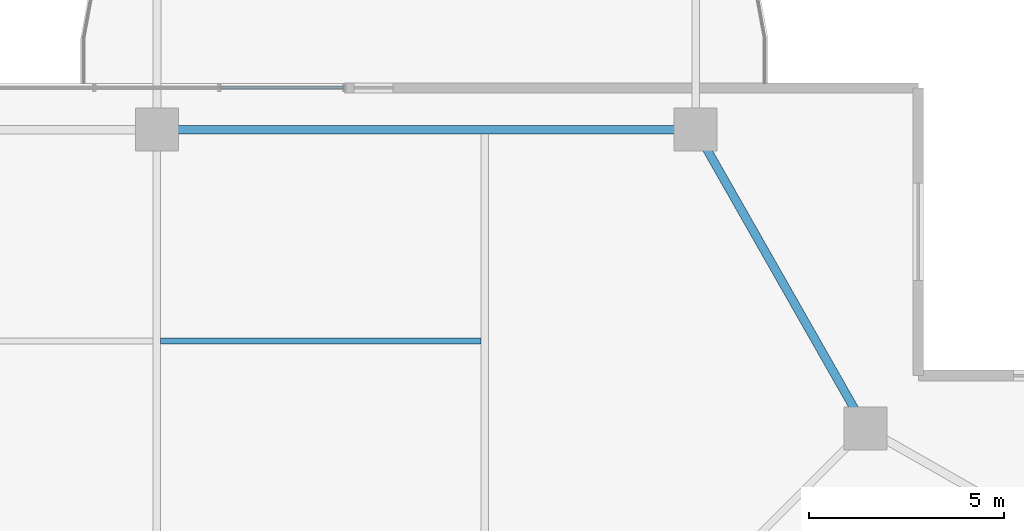
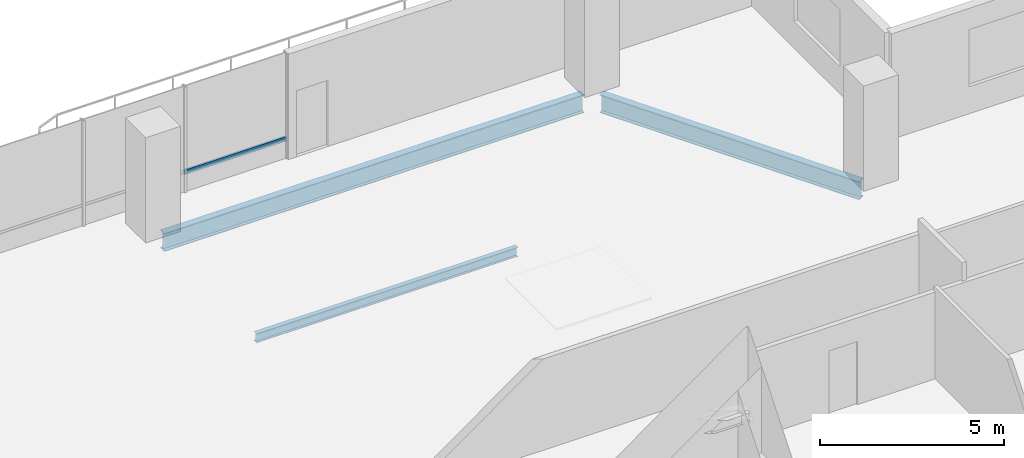
# One storey, part 14 of 23: 3 beams, 1 member, 1 element without a shape of its own.
"""IFC4 building model written with IfcOpenShell, lengths in metres."""

from ifc_helpers import new_model, si_unit, direction, frame, origin, origin_2d, place, context, subcontext, project, spatial, hollow_rectangle, i_section, extrude, material, layer, layer_set, material_profile, profile_set, type_object, element, aggregate, save


model = new_model("IFC4")

# Units and contexts
model_context = context("Model", 3, precision=1e-05, world=origin(), true_north=direction((0.0, 1.0)))
body_context = subcontext(model_context, "Body", "Model", "MODEL_VIEW")
ifc_project = project(units=[si_unit("LENGTHUNIT", "METRE"), si_unit("AREAUNIT", "SQUARE_METRE"), si_unit("VOLUMEUNIT", "CUBIC_METRE"), si_unit("PLANEANGLEUNIT", "RADIAN"), si_unit("MASSUNIT", "GRAM", prefix="KILO")], contexts=[model_context])

# Site, building, storey
site_placement = place(None, origin())
site = spatial("IfcSite", under=ifc_project, at=site_placement, CompositionType="ELEMENT")
building_placement = place(site_placement, origin())
building = spatial("IfcBuilding", under=site, at=building_placement, Name="Belovzor Exchange Tower", CompositionType="ELEMENT")
storey_placement = place(building_placement, frame((0.0, 0.0, 229.949951171875)))
storey = spatial("IfcBuildingStorey", under=building, at=storey_placement, Name="L57", CompositionType="ELEMENT", Elevation=229.949951171875)

# Beam
ifc_material_1 = material(Name="Steel S355", Category="steel")
ifc_material_profile_1 = material_profile(ifc_material_1, i_section(OverallWidth=0.14990234375, OverallDepth=0.300048828125, WebThickness=0.007080078125, FlangeThickness=0.0107421875, at=origin_2d()))
ifc_profile_set_1 = profile_set([ifc_material_profile_1], Name="Steel S355")
beam_type_1 = type_object("IfcBeamType", Name="Secondary Trim Floor Joist IPE 300", PredefinedType="BEAM", material=ifc_profile_set_1)
beam_1_placement = place(storey_placement, frame((28.89501953125, 49.18701171875, -0.39990234375), z_axis=(1.0, 0.0, 0.0), x_axis=(0.0, 1.0, 0.0)))
element("IfcBeam", 1, at=beam_1_placement, inside=storey, type_object=beam_type_1, Name="FJ-300 Secondary Trim Floor Joist IPE 300", PredefinedType="BEAM", context=body_context, shape_type="SweptSolid", body=[
    extrude(i_section(OverallWidth=0.14990234375, OverallDepth=0.300048828125, WebThickness=0.007080078125, FlangeThickness=0.0107421875, at=origin_2d()), origin(), (0.0, 0.0, 1.0), 8.2099609375),
])

# Curtain wall, member
ifc_material_2 = material(Name="Anodised Aluminium Framing", Category="aluminium")
ifc_layer = layer(ifc_material_2, 0.179931640625)
ifc_layer_set = layer_set([ifc_layer], Name="Anodised Aluminium Framing")
curtain_wall_type = type_object("IfcCurtainWallType", Name="Recessed Loggia Low-Iron Triple-Glazed Curtain Wall", PredefinedType="NOTDEFINED", material=ifc_layer_set)
curtain_wall_placement = place(storey_placement, origin())
curtain_wall = element("IfcCurtainWall", 2, at=curtain_wall_placement, inside=storey, type_object=curtain_wall_type, Name="CW3 Recessed Loggia Low-Iron Triple-Glazed Curtain Wall L57", PredefinedType="NOTDEFINED")
ifc_material_3 = material(Name="Steel S355", Category="steel")
ifc_material_profile_2 = material_profile(ifc_material_3, hollow_rectangle(XDim=0.06005859375, YDim=0.14990234375, WallThickness=0.00390625, at=origin_2d()))
ifc_profile_set_2 = profile_set([ifc_material_profile_2], Name="Steel S355")
member_type = type_object("IfcMemberType", Name="Thermally Broken Curtain Wall Transom 150x60", PredefinedType="USERDEFINED", material=ifc_profile_set_2)
member_placement = place(storey_placement, frame((30.407958984375, 55.669921875, 0.630126953125), z_axis=(1.0, 0.0, 0.0), x_axis=(0.0, 1.0, 0.0)))
member = element("IfcMember", 3, at=member_placement, type_object=member_type, Name="CW-T150 Curtain Wall Transom 3", ObjectType="TRANSOM", PredefinedType="USERDEFINED", context=body_context, shape_type="SweptSolid", body=[
    extrude(hollow_rectangle(XDim=0.06005859375, YDim=0.14990234375, WallThickness=0.00390625, at=origin_2d()), origin(), (0.0, 0.0, 1.0), 3.18408203125),
])
aggregate(curtain_wall, [member])

# Beams
ifc_material_4 = material(Name="Steel S355", Category="steel")
ifc_material_profile_3 = material_profile(ifc_material_4, i_section(OverallWidth=0.219970703125, OverallDepth=0.60009765625, WebThickness=0.011962890625, FlangeThickness=0.01904296875, at=origin_2d()))
ifc_profile_set_3 = profile_set([ifc_material_profile_3], Name="Steel S355")
beam_type_2 = type_object("IfcBeamType", Name="Zone 4 Flare Primary Girder IPE 600", PredefinedType="BEAM", material=ifc_profile_set_3)
beam_2_placement = place(storey_placement, frame((46.800048828125, 47.212890625, -0.550048828125), z_axis=(-0.494222323641, 0.869335547884, 0.0), x_axis=(-0.869335547884, -0.494222323641, 0.0)))
element("IfcBeam", 4, at=beam_2_placement, inside=storey, type_object=beam_type_2, Name="FG-Z4 Zone 4 Flare Primary Girder IPE 600", PredefinedType="BEAM", context=body_context, shape_type="SweptSolid", body=[
    extrude(i_section(OverallWidth=0.219970703125, OverallDepth=0.60009765625, WebThickness=0.011962890625, FlangeThickness=0.01904296875, at=origin_2d()), origin(), (0.0, 0.0, 1.0), 8.19482421875),
])
beam_3_placement = place(storey_placement, frame((42.297119140625, 54.60009765625, -0.550048828125), z_axis=(-1.0, 0.0, 0.0), x_axis=(0.0, -1.0, 0.0)))
element("IfcBeam", 5, at=beam_3_placement, inside=storey, type_object=beam_type_2, Name="FG-Z4 Zone 4 Flare Primary Girder IPE 600", PredefinedType="BEAM", context=body_context, shape_type="SweptSolid", body=[
    extrude(i_section(OverallWidth=0.219970703125, OverallDepth=0.60009765625, WebThickness=0.011962890625, FlangeThickness=0.01904296875, at=origin_2d()), origin(), (0.0, 0.0, 1.0), 13.195068359375),
])

save(model, "model.ifc")
